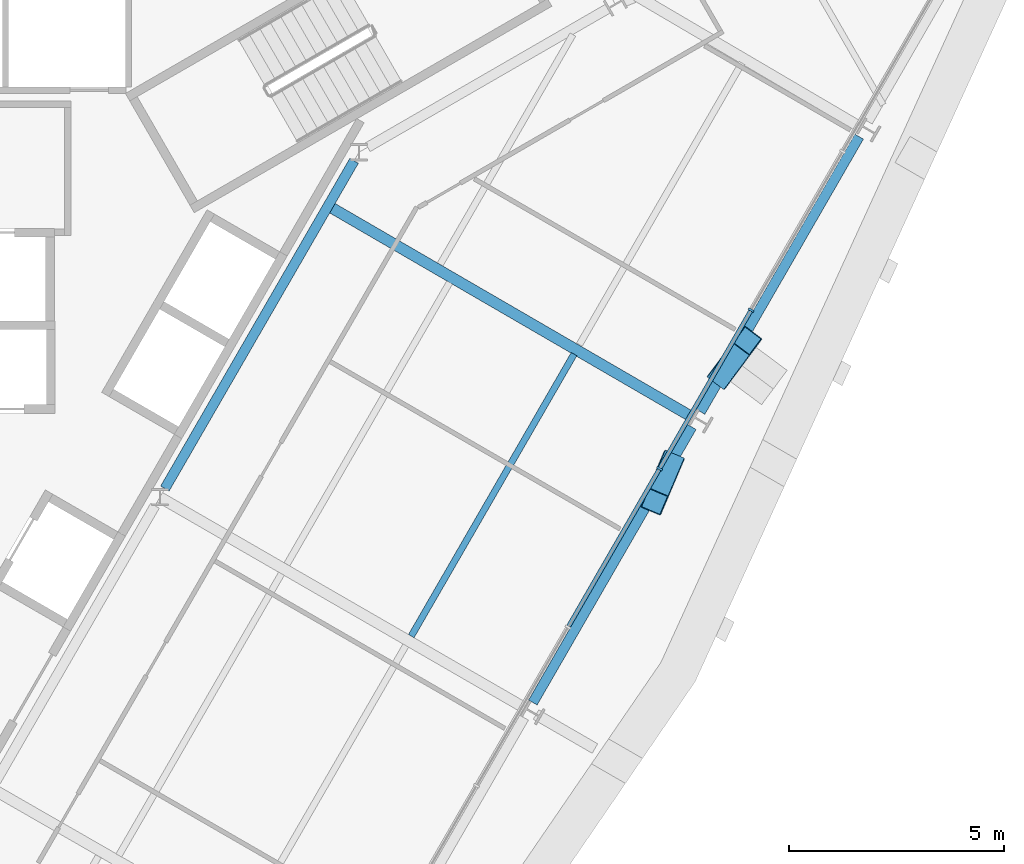
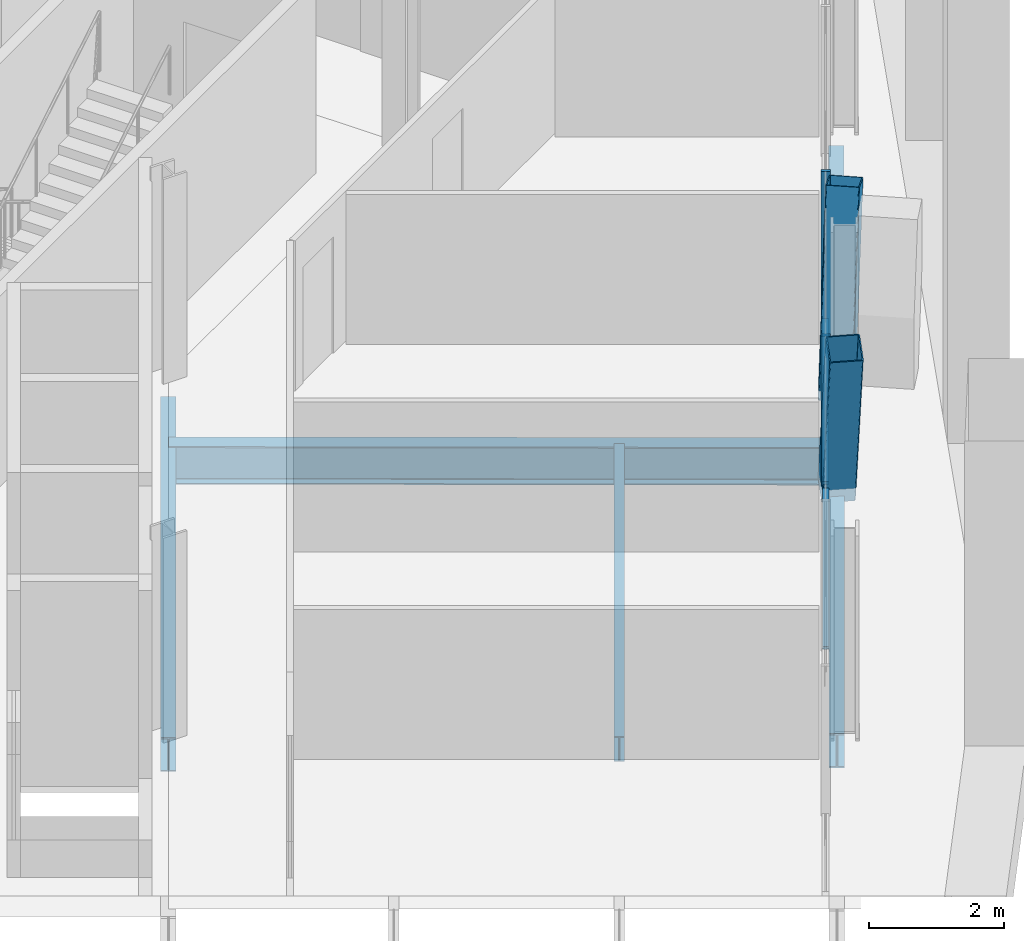
# One storey, part 7 of 17: 6 members, 5 beams, 1 element without a shape of its own.
"""IFC4 building model written with IfcOpenShell, lengths in metres."""

from ifc_helpers import new_model, si_unit, direction, frame, origin, origin_2d, place, context, subcontext, project, spatial, rectangle, hollow_rectangle, i_section, extrude, material, material_profile, profile_set, type_object, element, aggregate, save


model = new_model("IFC4")

# Units and contexts
model_context = context("Model", 3, precision=1e-05, world=origin(), true_north=direction((0.0, 1.0)))
body_context = subcontext(model_context, "Body", "Model", "MODEL_VIEW")
ifc_project = project(units=[si_unit("LENGTHUNIT", "METRE"), si_unit("AREAUNIT", "SQUARE_METRE"), si_unit("VOLUMEUNIT", "CUBIC_METRE"), si_unit("PLANEANGLEUNIT", "RADIAN"), si_unit("MASSUNIT", "GRAM", prefix="KILO")], contexts=[model_context])

# Site, building, storey
site_placement = place(None, origin())
site = spatial("IfcSite", under=ifc_project, at=site_placement, CompositionType="ELEMENT")
building_placement = place(site_placement, origin())
building = spatial("IfcBuilding", under=site, at=building_placement, Name="Verrane Prism Tower", CompositionType="ELEMENT")
storey_placement = place(building_placement, frame((0.0, 0.0, 178.39990234375)))
storey = spatial("IfcBuildingStorey", under=building, at=storey_placement, Name="L44", CompositionType="ELEMENT", Elevation=178.39990234375)

# Beam
ifc_material_1 = material(Name="Steel A992", Category="steel")
ifc_material_profile_1 = material_profile(ifc_material_1, i_section(OverallWidth=0.23046875, OverallDepth=0.6171875, WebThickness=0.01318359375, FlangeThickness=0.022216796875, FilletRadius=0.012939453125, at=origin_2d()), Name="W24x94")
ifc_profile_set_1 = profile_set([ifc_material_profile_1], Name="Steel A992")
beam_type_1 = type_object("IfcBeamType", Name="Core ring girder W24x94", PredefinedType="BEAM", material=ifc_profile_set_1)
beam_1_placement = place(storey_placement, frame((7.045166015625, -3.800537109375, -0.55859375), z_axis=(0.499967414725, 0.866044216084, 0.0), x_axis=(-0.866044216084, 0.499967414725, 0.0)))
element("IfcBeam", 1, at=beam_1_placement, inside=storey, type_object=beam_type_1, Name="Core ring girder L44", PredefinedType="BEAM", context=body_context, shape_type="SweptSolid", body=[
    extrude(i_section(OverallWidth=0.23046875, OverallDepth=0.6171875, WebThickness=0.01318359375, FlangeThickness=0.022216796875, FilletRadius=0.012939453125, at=origin_2d()), origin(), (0.0, 0.0, 1.0), 8.7998046875),
])

# Members
ifc_material_2 = material(Name="Steel A500 Grade C", Category="steel")
ifc_material_profile_2 = material_profile(ifc_material_2, hollow_rectangle(XDim=0.508056640625, YDim=0.508056640625, WallThickness=0.01904296875, InnerFilletRadius=0.009521484375, OuterFilletRadius=0.028564453125, at=origin_2d()), Name="HSS20x20x3/4")
ifc_profile_set_2 = profile_set([ifc_material_profile_2], Name="Steel A500 Grade C")
member_type_1 = type_object("IfcMemberType", Name="Facade brace HSS20x20x3/4", PredefinedType="BRACE", material=ifc_profile_set_2)
member_1_placement = place(storey_placement, frame((18.8037109375, -3.222412109375, -0.216552734375), z_axis=(-0.111973337497, -0.263759417214, 0.958067294881), x_axis=(0.920487144923, -0.390772844543, 0.0)))
element("IfcMember", 2, at=member_1_placement, inside=storey, type_object=member_type_1, Name="Facade brace SE3 L44", PredefinedType="BRACE", context=body_context, shape_type="SweptSolid", body=[
    extrude(hollow_rectangle(XDim=0.508056640625, YDim=0.508056640625, WallThickness=0.01904296875, InnerFilletRadius=0.009521484375, OuterFilletRadius=0.028564453125, at=origin_2d()), origin(), (0.0, 0.0, 1.0), 3.3359375),
])
member_2_placement = place(storey_placement, frame((19.992431640625, -1.160400390625, -0.216552734375), z_axis=(0.177180799901, 0.238234867219, 0.954908954921), x_axis=(-0.802411058014, 0.596771726857, 0.0)))
element("IfcMember", 3, at=member_2_placement, inside=storey, type_object=member_type_1, Name="Facade brace SE4 L44", PredefinedType="BRACE", context=body_context, shape_type="SweptSolid", body=[
    extrude(hollow_rectangle(XDim=0.508056640625, YDim=0.508056640625, WallThickness=0.01904296875, InnerFilletRadius=0.009521484375, OuterFilletRadius=0.028564453125, at=origin_2d()), origin(), (0.0, 0.0, 1.0), 3.346923828125),
])

# Beam
ifc_material_3 = material(Name="Steel A992", Category="steel")
ifc_material_profile_3 = material_profile(ifc_material_3, i_section(OverallWidth=0.15234375, OverallDepth=0.449462890625, WebThickness=0.007568359375, FlangeThickness=0.0107421875, FilletRadius=0.01025390625, at=origin_2d()), Name="W18x35")
ifc_profile_set_3 = profile_set([ifc_material_profile_3], Name="Steel A992")
beam_type_2 = type_object("IfcBeamType", Name="Floor beam W18x35", PredefinedType="BEAM", material=ifc_profile_set_3)
beam_2_placement = place(storey_placement, frame((12.7734375, -7.22998046875, -0.384765625), z_axis=(0.499999771941, 0.866025535455, 0.0), x_axis=(-0.866025535455, 0.499999771941, 0.0)))
element("IfcBeam", 4, at=beam_2_placement, inside=storey, type_object=beam_type_2, Name="Floor beam L44", PredefinedType="BEAM", context=body_context, shape_type="SweptSolid", body=[
    extrude(i_section(OverallWidth=0.15234375, OverallDepth=0.449462890625, WebThickness=0.007568359375, FlangeThickness=0.0107421875, FilletRadius=0.01025390625, at=origin_2d()), origin(), (0.0, 0.0, 1.0), 7.56982421875),
])

# Curtain wall, members
ifc_material_4 = material(Name="Aluminium framed insulated glazing", Category="aluminium")
curtain_wall_type = type_object("IfcCurtainWallType", Name="Curtain wall CW-C 4200 module", PredefinedType="NOTDEFINED", material=ifc_material_4)
curtain_wall_placement = place(storey_placement, origin())
curtain_wall = element("IfcCurtainWall", 5, at=curtain_wall_placement, inside=storey, type_object=curtain_wall_type, Name="Glazed curtain wall south-east face L44", PredefinedType="NOTDEFINED")
ifc_material_5 = material(Name="Aluminium alloy 6063-T6", Category="aluminium")
ifc_material_profile_4 = material_profile(ifc_material_5, rectangle(XDim=0.139892578125, YDim=0.050048828125, at=origin_2d()), Name="Mullion 50x140 aluminium")
ifc_profile_set_4 = profile_set([ifc_material_profile_4], Name="Aluminium alloy 6063-T6")
member_type_2 = type_object("IfcMemberType", Name="Mullion 50x140 aluminium", PredefinedType="MULLION", material=ifc_profile_set_4)
member_3_placement = place(storey_placement, frame((18.547607421875, -3.336669921875, 0.0), z_axis=(0.0, 0.0, 1.0), x_axis=(-0.866025734201, 0.499999427701, 0.0)))
member_3 = element("IfcMember", 6, at=member_3_placement, type_object=member_type_2, Name="CW44.6 mullion 8", PredefinedType="MULLION", context=body_context, shape_type="SweptSolid", body=[
    extrude(rectangle(XDim=0.139892578125, YDim=0.050048828125, at=origin_2d()), origin(), (0.0, 0.0, 1.0), 2.712890625),
])
member_4_placement = place(storey_placement, frame((20.675537109375, 0.34912109375, 0.0), z_axis=(0.0, 0.0, 1.0), x_axis=(-0.866025734201, 0.499999427701, 0.0)))
member_4 = element("IfcMember", 7, at=member_4_placement, type_object=member_type_2, Name="CW44.6 mullion 9", PredefinedType="MULLION", context=body_context, shape_type="SweptSolid", body=[
    extrude(rectangle(XDim=0.139892578125, YDim=0.050048828125, at=origin_2d()), origin(), (0.0, 0.0, 1.0), 2.712890625),
])

# Beams
ifc_material_6 = material(Name="Steel A992", Category="steel")
ifc_material_profile_5 = material_profile(ifc_material_6, i_section(OverallWidth=0.25390625, OverallDepth=0.683349609375, WebThickness=0.012451171875, FlangeThickness=0.01904296875, FilletRadius=0.01513671875, at=origin_2d()), Name="W27x94")
ifc_profile_set_5 = profile_set([ifc_material_profile_5], Name="Steel A992")
beam_type_3 = type_object("IfcBeamType", Name="Radial girder W27x94", PredefinedType="BEAM", material=ifc_profile_set_5)
beam_3_placement = place(storey_placement, frame((19.2177734375, -2.08740234375, -0.5615234375), z_axis=(-0.864853908828, 0.502023621341, 0.0), x_axis=(-0.502023621341, -0.864853908828, 0.0)))
element("IfcBeam", 8, at=beam_3_placement, inside=storey, type_object=beam_type_3, Name="Radial girder L44", PredefinedType="BEAM", context=body_context, shape_type="SweptSolid", body=[
    extrude(i_section(OverallWidth=0.25390625, OverallDepth=0.683349609375, WebThickness=0.012451171875, FlangeThickness=0.01904296875, FilletRadius=0.01513671875, at=origin_2d()), origin(), (0.0, 0.0, 1.0), 9.685302734375),
])
ifc_material_7 = material(Name="Steel A992", Category="steel")
ifc_material_profile_6 = material_profile(ifc_material_7, i_section(OverallWidth=0.23046875, OverallDepth=0.6171875, WebThickness=0.01318359375, FlangeThickness=0.022216796875, FilletRadius=0.012939453125, at=origin_2d()), Name="W24x94")
ifc_profile_set_6 = profile_set([ifc_material_profile_6], Name="Steel A992")
beam_type_4 = type_object("IfcBeamType", Name="Spandrel beam W24x94", PredefinedType="SPANDREL", material=ifc_profile_set_6)
beam_4_placement = place(storey_placement, frame((15.600830078125, -8.774658203125, -0.468505859375), z_axis=(0.499671966799, 0.866214711024, 0.0), x_axis=(-0.866214711024, 0.499671966799, 0.0)))
element("IfcBeam", 9, at=beam_4_placement, inside=storey, type_object=beam_type_4, Name="Spandrel beam L44", PredefinedType="SPANDREL", context=body_context, shape_type="SweptSolid", body=[
    extrude(i_section(OverallWidth=0.23046875, OverallDepth=0.6171875, WebThickness=0.01318359375, FlangeThickness=0.022216796875, FilletRadius=0.012939453125, at=origin_2d()), origin(), (0.0, 0.0, 1.0), 7.39599609375),
])
beam_5_placement = place(storey_placement, frame((19.49951171875, -2.01611328125, -0.468505859375), z_axis=(0.499290210611, 0.866434813236, 0.0), x_axis=(-0.866434813236, 0.499290210611, 0.0)))
element("IfcBeam", 10, at=beam_5_placement, inside=storey, type_object=beam_type_4, Name="Spandrel beam L44", PredefinedType="SPANDREL", context=body_context, shape_type="SweptSolid", body=[
    extrude(i_section(OverallWidth=0.23046875, OverallDepth=0.6171875, WebThickness=0.01318359375, FlangeThickness=0.022216796875, FilletRadius=0.012939453125, at=origin_2d()), origin(), (0.0, 0.0, 1.0), 7.384521484375),
])

# Member
ifc_material_8 = material(Name="Aluminium alloy 6063-T6", Category="aluminium")
ifc_material_profile_7 = material_profile(ifc_material_8, rectangle(XDim=0.10009765625, YDim=0.050048828125, at=origin_2d()), Name="Transom 50x100 aluminium")
ifc_profile_set_7 = profile_set([ifc_material_profile_7], Name="Aluminium alloy 6063-T6")
member_type_3 = type_object("IfcMemberType", Name="Transom 50x100 aluminium", PredefinedType="USERDEFINED", material=ifc_profile_set_7)
member_5_placement = place(storey_placement, frame((16.43212890625, -7.0009765625, 0.025146484375), z_axis=(0.499997126074, 0.86602706304, 0.0), x_axis=(-0.86602706304, 0.499997126074, 0.0)))
member_5 = element("IfcMember", 11, at=member_5_placement, type_object=member_type_3, Name="CW44.6 transom 7", ObjectType="TRANSOM", PredefinedType="USERDEFINED", context=body_context, shape_type="SweptSolid", body=[
    extrude(rectangle(XDim=0.10009765625, YDim=0.050048828125, at=origin_2d()), origin(), (0.0, 0.0, 1.0), 4.2060546875),
])

member_6_placement = place(storey_placement, frame((18.56005859375, -3.31494140625, 0.025146484375), z_axis=(0.499997126074, 0.86602706304, 0.0), x_axis=(-0.86602706304, 0.499997126074, 0.0)))
member_6 = element("IfcMember", 12, at=member_6_placement, type_object=member_type_3, Name="CW44.6 transom 8", ObjectType="TRANSOM", PredefinedType="USERDEFINED", context=body_context, shape_type="SweptSolid", body=[
    extrude(rectangle(XDim=0.10009765625, YDim=0.050048828125, at=origin_2d()), origin(), (0.0, 0.0, 1.0), 4.2060546875),
])

aggregate(curtain_wall, [member_3, member_4, member_5, member_6])

save(model, "model.ifc")
